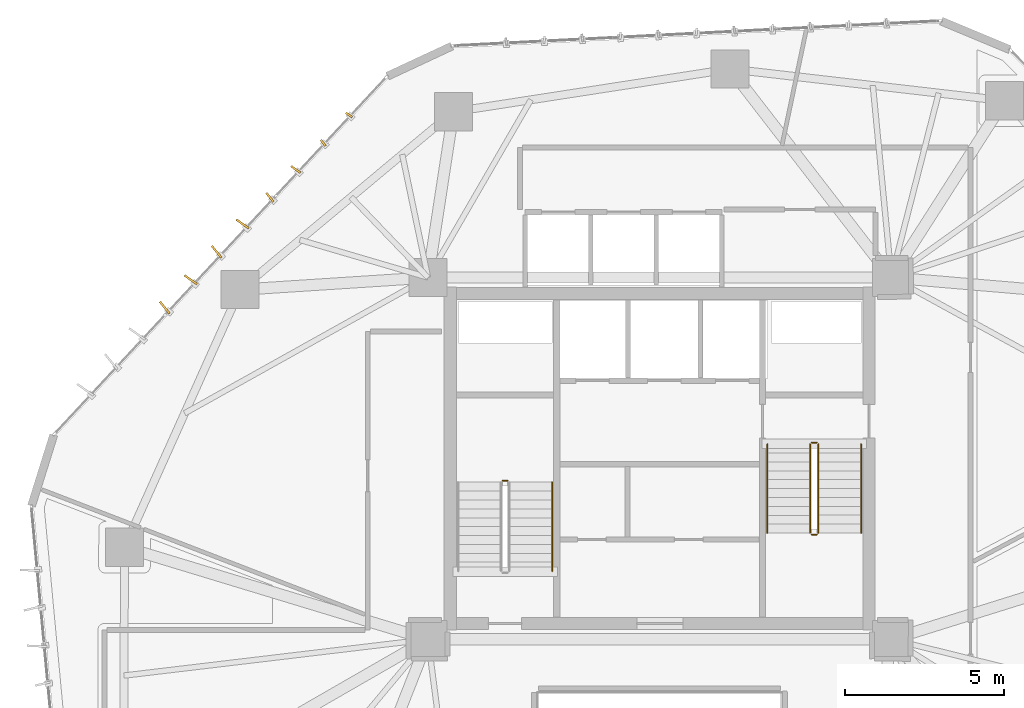
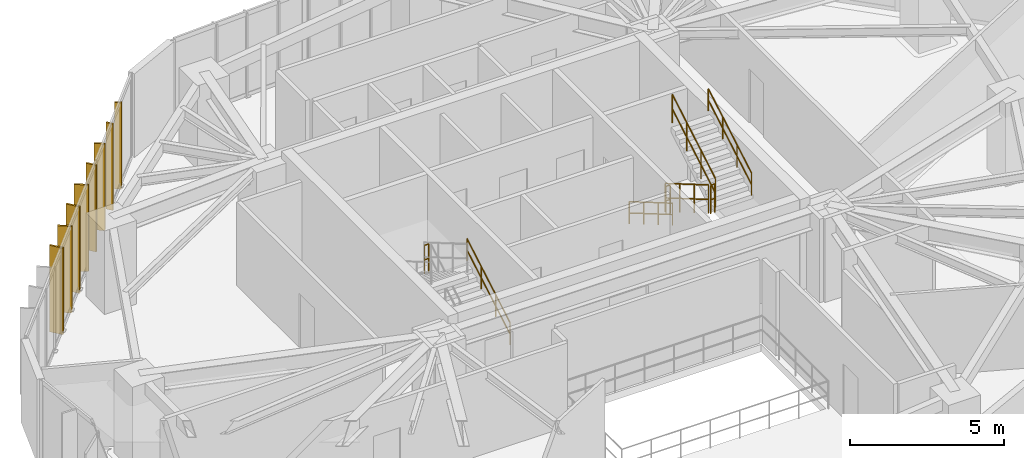
# One storey, part 22 of 23: 8 railings, 8 shading devices.
"""IFC4 building model written with IfcOpenShell, lengths in metres."""

import ifcopenshell
import ifcopenshell.guid

model = None  # the IFC model being written
_history = None  # IfcOwnerHistory: only IFC2X3 demands one
_inside = {}  # id of a spatial element -> (the spatial element, [elements in it])
_under = {}  # id of a project, library or spatial element -> (it, [spatial elements below it])
_declared = {}  # id of a project -> (the project, [libraries it declares])
_typed = {}  # id of a type object -> (the type object, [elements of that type])
_made_of = {}  # id of a material, layer set ... -> (it, [elements and type objects made of it])


def new_model(schema):
    """Start an empty IFC model of exactly this schema.

    Asked for "IFC4X3", IfcOpenShell would pick the latest addendum, in which some entities
    have other attributes; the version numbers below select the first issue.
    IFC2X3 requires an IfcOwnerHistory on every rooted entity: one is made here for all.
    """
    global model, _history
    if schema == "IFC4X3":
        model = ifcopenshell.file(schema_version=(4, 3, 0, 0))
    else:
        model = ifcopenshell.file(schema=schema)
    _inside.clear()
    _under.clear()
    _declared.clear()
    _typed.clear()
    _made_of.clear()
    _history = None
    if model.schema == "IFC2X3":
        org = make("IfcOrganization", Name="unknown")
        user = make(
            "IfcPersonAndOrganization",
            ThePerson=make("IfcPerson", FamilyName="unknown"),
            TheOrganization=org,
        )
        app = make(
            "IfcApplication",
            ApplicationDeveloper=org,
            Version="unknown",
            ApplicationFullName="unknown",
            ApplicationIdentifier="unknown",
        )
        _history = make(
            "IfcOwnerHistory",
            OwningUser=user,
            OwningApplication=app,
            ChangeAction="ADDED",
            CreationDate=0,
        )
    return model


def make(cls, **values):
    """One entity of the class cls with the attributes given. An attribute that is None is left unset."""
    return model.create_entity(
        cls, **{name: value for name, value in values.items() if value is not None}
    )


def rooted(cls, **values):
    """An entity with a GlobalId (a new one), such as an element, a storey or a relation."""
    return make(cls, GlobalId=ifcopenshell.guid.new(), OwnerHistory=_history, **values)


def si_unit(unit_type, name, prefix=None):
    """IfcSIUnit, for example si_unit("LENGTHUNIT", "METRE", prefix="MILLI")."""
    return make("IfcSIUnit", UnitType=unit_type, Prefix=prefix, Name=name)


def assignment(units):
    """IfcUnitAssignment: the units of a project."""
    return None if units is None else make("IfcUnitAssignment", Units=units)


def point(xyz):
    """IfcCartesianPoint."""
    return None if xyz is None else make("IfcCartesianPoint", Coordinates=xyz)


def direction(xyz):
    """IfcDirection."""
    return None if xyz is None else make("IfcDirection", DirectionRatios=xyz)


def frame(location, z_axis=None, x_axis=None):
    """IfcAxis2Placement3D, a coordinate frame: its origin and axes. An axis left out is left unset."""
    return make(
        "IfcAxis2Placement3D",
        Location=point(location),
        Axis=direction(z_axis),
        RefDirection=direction(x_axis),
    )


def frame_2d(location, x_axis=None):
    """IfcAxis2Placement2D, a coordinate frame in the plane: its origin and x axis."""
    return make(
        "IfcAxis2Placement2D", Location=point(location), RefDirection=direction(x_axis)
    )


def origin():
    """The frame at (0, 0, 0) with its axes left unset."""
    return frame((0.0, 0.0, 0.0))


def origin_2d():
    """The frame at (0, 0) in the plane with its x axis left unset."""
    return frame_2d((0.0, 0.0))


def place(relative_to, where):
    """IfcLocalPlacement: puts the frame where relative to a parent placement (None: the world)."""
    return make(
        "IfcLocalPlacement", PlacementRelTo=relative_to, RelativePlacement=where
    )


def context(
    kind, dimensions, precision=None, world=None, true_north=None, identifier=None
):
    """IfcGeometricRepresentationContext, for example the 3D "Model" context."""
    return make(
        "IfcGeometricRepresentationContext",
        ContextIdentifier=identifier,
        ContextType=kind,
        CoordinateSpaceDimension=dimensions,
        Precision=precision,
        WorldCoordinateSystem=world,
        TrueNorth=true_north,
    )


def subcontext(parent, identifier, kind, view, scale=None):
    """IfcGeometricRepresentationSubContext, for example "Body" below "Model"."""
    return make(
        "IfcGeometricRepresentationSubContext",
        ContextIdentifier=identifier,
        ContextType=kind,
        ParentContext=parent,
        TargetScale=scale,
        TargetView=view,
    )


def project(units=None, contexts=None):
    """IfcProject with its units and contexts."""
    return rooted(
        "IfcProject",
        Name="project",
        RepresentationContexts=contexts,
        UnitsInContext=assignment(units),
    )


def spatial(cls, under=None, at=None, **own):
    """A site, building, storey or space (cls), placed at a placement, below another one or the project."""
    s = rooted(cls, ObjectPlacement=at, **own)
    if under is not None:
        _under.setdefault(under.id(), (under, []))[1].append(s)
    return s


def profile(cls, at=None, kind="AREA", **sizes):
    """A parametric profile (cls). Its sizes go by their IFC names, for example OverallWidth=200.0."""
    return make(cls, ProfileType=kind, Position=at, **sizes)


def rectangle(**sizes):
    """IfcRectangleProfileDef."""
    return profile("IfcRectangleProfileDef", **sizes)


def circle(**sizes):
    """IfcCircleProfileDef."""
    return profile("IfcCircleProfileDef", **sizes)


def extrude(swept, where, along, depth):
    """IfcExtrudedAreaSolid: the profile swept, set in the frame where, extruded along a direction by depth."""
    return make(
        "IfcExtrudedAreaSolid",
        SweptArea=swept,
        Position=where,
        ExtrudedDirection=direction(along),
        Depth=depth,
    )


def shape(context_of_items, identifier, shape_type, items):
    """IfcShapeRepresentation: the items that make up one representation, for example the "Body"."""
    return make(
        "IfcShapeRepresentation",
        ContextOfItems=context_of_items,
        RepresentationIdentifier=identifier,
        RepresentationType=shape_type,
        Items=items,
    )


def source(mapping_origin, context_of_items, identifier, shape_type, items):
    """IfcRepresentationMap: a shape defined once, which mapped items show again and again."""
    return make(
        "IfcRepresentationMap",
        MappingOrigin=mapping_origin,
        MappedRepresentation=shape(context_of_items, identifier, shape_type, items),
    )


def transform(
    local_origin,
    x_axis=None,
    y_axis=None,
    z_axis=None,
    scale=None,
    scale2=None,
    scale3=None,
    uniform=True,
):
    """IfcCartesianTransformationOperator3D, or its non-uniform kind. x_axis, y_axis, z_axis: its Axis1, 2, 3."""
    if uniform:
        return make(
            "IfcCartesianTransformationOperator3D",
            Axis1=direction(x_axis),
            Axis2=direction(y_axis),
            LocalOrigin=point(local_origin),
            Scale=scale,
            Axis3=direction(z_axis),
        )
    return make(
        "IfcCartesianTransformationOperator3DnonUniform",
        Axis1=direction(x_axis),
        Axis2=direction(y_axis),
        LocalOrigin=point(local_origin),
        Scale=scale,
        Axis3=direction(z_axis),
        Scale2=scale2,
        Scale3=scale3,
    )


def mapped(mapping_source, mapping_target):
    """IfcMappedItem: shows the shape of a source again, moved by a transform."""
    return make(
        "IfcMappedItem", MappingSource=mapping_source, MappingTarget=mapping_target
    )


def material(Name=None, Category=None):
    """IfcMaterial."""
    return make("IfcMaterial", Name=Name, Category=Category)


def layer(
    of_material, thickness, ventilated=None, Name=None, Category=None, Priority=None
):
    """IfcMaterialLayer: one layer of a wall or slab, of a material (None: an air gap)."""
    return make(
        "IfcMaterialLayer",
        Material=of_material,
        LayerThickness=thickness,
        IsVentilated=ventilated,
        Name=Name,
        Category=Category,
        Priority=Priority,
    )


def layer_set(layers, Name=None):
    """IfcMaterialLayerSet."""
    return make("IfcMaterialLayerSet", MaterialLayers=layers, LayerSetName=Name)


def made_of(thing, what):
    """Note that an element or type object is made of a material, layer set ...; save() writes the relation."""
    if what is not None:
        _made_of.setdefault(what.id(), (what, []))[1].append(thing)
    return thing


def type_object(cls, material=None, **own):
    """A type object (cls), such as IfcWallType, which elements share."""
    return made_of(rooted(cls, **own), material)


def type_shapes(of_type, sources):
    """Give a type object the sources (RepresentationMaps) that its elements show as mapped items."""
    of_type.RepresentationMaps = sources


def element(
    cls,
    number,
    at=None,
    inside=None,
    cuts=None,
    type_object=None,
    material=None,
    context=None,
    identifier="Body",
    shape_type=None,
    held_by="IfcProductDefinitionShape",
    body=None,
    shapes=None,
    **own,
):
    """One element of the class cls, such as IfcWall. Its Tag is "e" and its number.

    at: its placement. inside: the storey or other place that contains it. cuts: it is an
    opening in that element (IfcRelVoidsElement). A single representation is given by context,
    identifier, shape_type and body (its items); several are given by shapes. held_by: the class
    of the entity that holds the representations. save() writes the other relations.
    """
    e = rooted(cls, Tag="e%d" % number, ObjectPlacement=at, **own)
    if body is not None:
        shapes = [shape(context, identifier, shape_type, body)]
    if shapes is not None:
        e.Representation = make(held_by, Representations=shapes)
    if inside is not None:
        _inside.setdefault(inside.id(), (inside, []))[1].append(e)
    if cuts is not None:
        rooted(
            "IfcRelVoidsElement", RelatingBuildingElement=cuts, RelatedOpeningElement=e
        )
    if type_object is not None:
        _typed.setdefault(type_object.id(), (type_object, []))[1].append(e)
    return made_of(e, material)


def aggregate(whole, parts):
    """IfcRelAggregates: a whole, such as a stair, and the parts it consists of."""
    return rooted("IfcRelAggregates", RelatingObject=whole, RelatedObjects=parts)


def save(model, path):
    """Write the relations noted so far, then the file.

    IfcRelAggregates (storeys below a building ...), IfcRelContainedInSpatialStructure (elements
    in a storey), IfcRelDefinesByType, IfcRelAssociatesMaterial and IfcRelDeclares: one each for
    every whole, place, type object, material and project.
    """
    for whole, parts in _under.values():
        aggregate(whole, parts)
    for where, things in _inside.values():
        rooted(
            "IfcRelContainedInSpatialStructure",
            RelatedElements=things,
            RelatingStructure=where,
        )
    for kind, things in _typed.values():
        rooted("IfcRelDefinesByType", RelatedObjects=things, RelatingType=kind)
    for what, things in _made_of.values():
        rooted("IfcRelAssociatesMaterial", RelatedObjects=things, RelatingMaterial=what)
    for by, libraries in _declared.values():
        rooted("IfcRelDeclares", RelatingContext=by, RelatedDefinitions=libraries)
    model.write(path)


model = new_model("IFC4")

# Units and contexts
model_context = context("Model", 3, precision=1e-05, world=origin(), true_north=direction((0.0, 1.0)))
body_context = subcontext(model_context, "Body", "Model", "MODEL_VIEW")
ifc_project = project(units=[si_unit("LENGTHUNIT", "METRE"), si_unit("AREAUNIT", "SQUARE_METRE"), si_unit("VOLUMEUNIT", "CUBIC_METRE"), si_unit("PLANEANGLEUNIT", "RADIAN"), si_unit("MASSUNIT", "GRAM", prefix="KILO")], contexts=[model_context])

# Site, building, storey
site_placement = place(None, origin())
site = spatial("IfcSite", under=ifc_project, at=site_placement, CompositionType="ELEMENT")
building_placement = place(site_placement, origin())
building = spatial("IfcBuilding", under=site, at=building_placement, Name="Talar Marvaseh", CompositionType="ELEMENT")
storey_placement = place(building_placement, frame((0.0, 0.0, 100.199951171875)))
storey = spatial("IfcBuildingStorey", under=building, at=storey_placement, Name="L25", CompositionType="ELEMENT", Elevation=100.199951171875)

# Railings
ifc_material_1 = material(Name="Stainless Steel Grade 316", Category="steel")
railing_type_1 = type_object("IfcRailingType", Name="Brushed Stainless Wall Pitch Handrail 900", PredefinedType="HANDRAIL", material=ifc_material_1)
railing_1_placement = place(storey_placement, frame((22.610107421875, 27.64990234375, 0.16357421875)))
element("IfcRailing", 1, at=railing_1_placement, inside=storey, type_object=railing_type_1, Name="L25 ST-1 stair handrail 1", PredefinedType="HANDRAIL", context=body_context, shape_type="SweptSolid", body=[
    extrude(circle(Radius=0.02392578125, at=origin_2d()), frame((0.0, 0.0, 0.8759765625), z_axis=(0.0, 0.863360870873, 0.504586966384), x_axis=(-1.0, 0.0, 0.0)), (0.0, 0.0, 1.0), 3.2431640625),
    extrude(circle(Radius=0.02392578125, at=origin_2d()), frame((0.0, 0.0, 0.42578125), z_axis=(0.0, 0.863360870873, 0.504586966384), x_axis=(-1.0, 0.0, 0.0)), (0.0, 0.0, 1.0), 3.2431640625),
    extrude(circle(Radius=0.02099609375, at=origin_2d()), origin(), (0.0, 0.0, 1.0), 0.851806640625),
    extrude(circle(Radius=0.02099609375, at=origin_2d()), frame((0.0, 0.933349609375, 0.54541015625)), (0.0, 0.0, 1.0), 0.851806640625),
    extrude(circle(Radius=0.02099609375, at=origin_2d()), frame((0.0, 1.86669921875, 1.091064453125)), (0.0, 0.0, 1.0), 0.851806640625),
    extrude(circle(Radius=0.02099609375, at=origin_2d()), frame((0.0, 2.800048828125, 1.636474609375)), (0.0, 0.0, 1.0), 0.851806640625),
])
railing_2_placement = place(storey_placement, frame((29.389892578125, 31.64990234375, 0.16357421875)))
element("IfcRailing", 2, at=railing_2_placement, inside=storey, type_object=railing_type_1, Name="L25 ST-2 stair handrail 1", PredefinedType="HANDRAIL", context=body_context, shape_type="SweptSolid", body=[
    extrude(circle(Radius=0.02392578125, at=origin_2d()), frame((0.0, 0.0, 0.8759765625), z_axis=(0.0, -0.863341702679, 0.504619762213), x_axis=(1.0, 0.0, 0.0)), (0.0, 0.0, 1.0), 3.242919921875),
    extrude(circle(Radius=0.02392578125, at=origin_2d()), frame((0.0, 0.0, 0.42578125), z_axis=(0.0, -0.863341702679, 0.504619762213), x_axis=(1.0, 0.0, 0.0)), (0.0, 0.0, 1.0), 3.242919921875),
    extrude(circle(Radius=0.02099609375, at=origin_2d()), origin(), (0.0, 0.0, 1.0), 0.851806640625),
    extrude(circle(Radius=0.02099609375, at=origin_2d()), frame((0.0, -0.933349609375, 0.54541015625)), (0.0, 0.0, 1.0), 0.851806640625),
    extrude(circle(Radius=0.02099609375, at=origin_2d()), frame((0.0, -1.866455078125, 1.091064453125)), (0.0, 0.0, 1.0), 0.851806640625),
    extrude(circle(Radius=0.02099609375, at=origin_2d()), frame((0.0, -2.7998046875, 1.636474609375)), (0.0, 0.0, 1.0), 0.851806640625),
])
railing_3_placement = place(storey_placement, frame((32.35009765625, 28.85009765625, 1.963623046875)))
element("IfcRailing", 3, at=railing_3_placement, inside=storey, type_object=railing_type_1, Name="L25 ST-2 stair handrail 2", PredefinedType="HANDRAIL", context=body_context, shape_type="SweptSolid", body=[
    extrude(circle(Radius=0.02392578125, at=origin_2d()), frame((0.0, 0.0, 0.8759765625), z_axis=(0.0, 0.863341702679, 0.504619762213), x_axis=(-1.0, 0.0, 0.0)), (0.0, 0.0, 1.0), 3.242919921875),
    extrude(circle(Radius=0.02392578125, at=origin_2d()), frame((0.0, 0.0, 0.42578125), z_axis=(0.0, 0.863341702679, 0.504619762213), x_axis=(-1.0, 0.0, 0.0)), (0.0, 0.0, 1.0), 3.242919921875),
    extrude(circle(Radius=0.02099609375, at=origin_2d()), origin(), (0.0, 0.0, 1.0), 0.851806640625),
    extrude(circle(Radius=0.02099609375, at=origin_2d()), frame((0.0, 0.933349609375, 0.54541015625)), (0.0, 0.0, 1.0), 0.851806640625),
    extrude(circle(Radius=0.02099609375, at=origin_2d()), frame((0.0, 1.866455078125, 1.091064453125)), (0.0, 0.0, 1.0), 0.851806640625),
    extrude(circle(Radius=0.02099609375, at=origin_2d()), frame((0.0, 2.7998046875, 1.636474609375)), (0.0, 0.0, 1.0), 0.851806640625),
])
railing_type_2 = type_object("IfcRailingType", Name="Painted Steel Core Stair Well Guardrail 1150", PredefinedType="GUARDRAIL", material=ifc_material_1)
railing_4_placement = place(storey_placement, frame((21.2099609375, 30.5, 1.800048828125)))
element("IfcRailing", 4, at=railing_4_placement, inside=storey, type_object=railing_type_2, Name="L25 ST-1 stair guard 2", PredefinedType="GUARDRAIL", context=body_context, shape_type="SweptSolid", body=[
    extrude(circle(Radius=0.02392578125, at=origin_2d()), frame((0.0, 0.0, 1.1259765625), z_axis=(-1.0, 0.0, 0.0), x_axis=(0.0, -1.0, 0.0)), (0.0, 0.0, 1.0), 0.159912109375),
    extrude(circle(Radius=0.02392578125, at=origin_2d()), frame((0.0, 0.0, 0.55078125), z_axis=(-1.0, 0.0, 0.0), x_axis=(0.0, -1.0, 0.0)), (0.0, 0.0, 1.0), 0.159912109375),
    extrude(circle(Radius=0.02099609375, at=origin_2d()), origin(), (0.0, 0.0, 1.0), 1.101806640625),
    extrude(circle(Radius=0.02099609375, at=origin_2d()), frame((-0.159912109375, 0.0, 0.0)), (0.0, 0.0, 1.0), 1.101806640625),
])
railing_5_placement = place(storey_placement, frame((30.739990234375, 31.64990234375, 0.16357421875)))
element("IfcRailing", 5, at=railing_5_placement, inside=storey, type_object=railing_type_2, Name="L25 ST-2 stair guard 1", PredefinedType="GUARDRAIL", context=body_context, shape_type="SweptSolid", body=[
    extrude(circle(Radius=0.02392578125, at=origin_2d()), frame((0.0, 0.0, 1.1259765625), z_axis=(0.0, -0.863341702679, 0.504619762213), x_axis=(1.0, 0.0, 0.0)), (0.0, 0.0, 1.0), 3.242919921875),
    extrude(circle(Radius=0.02392578125, at=origin_2d()), frame((0.0, 0.0, 0.55078125), z_axis=(0.0, -0.863341702679, 0.504619762213), x_axis=(1.0, 0.0, 0.0)), (0.0, 0.0, 1.0), 3.242919921875),
    extrude(circle(Radius=0.02099609375, at=origin_2d()), origin(), (0.0, 0.0, 1.0), 1.101806640625),
    extrude(circle(Radius=0.02099609375, at=origin_2d()), frame((0.0, -0.933349609375, 0.54541015625)), (0.0, 0.0, 1.0), 1.101806640625),
    extrude(circle(Radius=0.02099609375, at=origin_2d()), frame((0.0, -1.866455078125, 1.091064453125)), (0.0, 0.0, 1.0), 1.101806640625),
    extrude(circle(Radius=0.02099609375, at=origin_2d()), frame((0.0, -2.7998046875, 1.636474609375)), (0.0, 0.0, 1.0), 1.101806640625),
])
railing_6_placement = place(storey_placement, frame((30.7900390625, 28.800048828125, 1.800048828125)))
element("IfcRailing", 6, at=railing_6_placement, inside=storey, type_object=railing_type_2, Name="L25 ST-2 stair guard 2", PredefinedType="GUARDRAIL", context=body_context, shape_type="SweptSolid", body=[
    extrude(circle(Radius=0.02392578125, at=origin_2d()), frame((0.0, 0.0, 1.1259765625), z_axis=(1.0, 0.0, 0.0), x_axis=(0.0, 1.0, 0.0)), (0.0, 0.0, 1.0), 0.159912109375),
    extrude(circle(Radius=0.02392578125, at=origin_2d()), frame((0.0, 0.0, 0.55078125), z_axis=(1.0, 0.0, 0.0), x_axis=(0.0, 1.0, 0.0)), (0.0, 0.0, 1.0), 0.159912109375),
    extrude(circle(Radius=0.02099609375, at=origin_2d()), origin(), (0.0, 0.0, 1.0), 1.101806640625),
    extrude(circle(Radius=0.02099609375, at=origin_2d()), frame((0.159912109375, 0.0, 0.0)), (0.0, 0.0, 1.0), 1.101806640625),
])
railing_7_placement = place(storey_placement, frame((31.0, 28.85009765625, 1.963623046875)))
element("IfcRailing", 7, at=railing_7_placement, inside=storey, type_object=railing_type_2, Name="L25 ST-2 stair guard 3", PredefinedType="GUARDRAIL", context=body_context, shape_type="SweptSolid", body=[
    extrude(circle(Radius=0.02392578125, at=origin_2d()), frame((0.0, 0.0, 1.1259765625), z_axis=(0.0, 0.863341702679, 0.504619762213), x_axis=(-1.0, 0.0, 0.0)), (0.0, 0.0, 1.0), 3.242919921875),
    extrude(circle(Radius=0.02392578125, at=origin_2d()), frame((0.0, 0.0, 0.55078125), z_axis=(0.0, 0.863341702679, 0.504619762213), x_axis=(-1.0, 0.0, 0.0)), (0.0, 0.0, 1.0), 3.242919921875),
    extrude(circle(Radius=0.02099609375, at=origin_2d()), origin(), (0.0, 0.0, 1.0), 1.101806640625),
    extrude(circle(Radius=0.02099609375, at=origin_2d()), frame((0.0, 0.933349609375, 0.54541015625)), (0.0, 0.0, 1.0), 1.101806640625),
    extrude(circle(Radius=0.02099609375, at=origin_2d()), frame((0.0, 1.866455078125, 1.091064453125)), (0.0, 0.0, 1.0), 1.101806640625),
    extrude(circle(Radius=0.02099609375, at=origin_2d()), frame((0.0, 2.7998046875, 1.636474609375)), (0.0, 0.0, 1.0), 1.101806640625),
])
railing_8_placement = place(storey_placement, frame((30.7900390625, 31.699951171875, 0.0)))
element("IfcRailing", 8, at=railing_8_placement, inside=storey, type_object=railing_type_2, Name="L25 ST-2 stair guard 4", PredefinedType="GUARDRAIL", context=body_context, shape_type="SweptSolid", body=[
    extrude(circle(Radius=0.02392578125, at=origin_2d()), frame((0.0, 0.0, 1.1259765625), z_axis=(1.0, 0.0, 0.0), x_axis=(0.0, 1.0, 0.0)), (0.0, 0.0, 1.0), 0.159912109375),
    extrude(circle(Radius=0.02392578125, at=origin_2d()), frame((0.0, 0.0, 0.55078125), z_axis=(1.0, 0.0, 0.0), x_axis=(0.0, 1.0, 0.0)), (0.0, 0.0, 1.0), 0.159912109375),
    extrude(circle(Radius=0.02099609375, at=origin_2d()), origin(), (0.0, 0.0, 1.0), 1.101806640625),
    extrude(circle(Radius=0.02099609375, at=origin_2d()), frame((0.159912109375, 0.0, 0.0)), (0.0, 0.0, 1.0), 1.101806640625),
])

# Shading devices
ifc_material_2 = material(Name="Anodised Champagne Bronze Aluminium", Category="aluminium")
ifc_layer_1 = layer(ifc_material_2, 0.06494140625)
ifc_layer_set_1 = layer_set([ifc_layer_1], Name="Anodised Champagne Bronze Aluminium")
shading_device_type_1 = type_object("IfcShadingDeviceType", Name="Sawtooth Champagne Bronze Vertical Fin 240", PredefinedType="USERDEFINED", material=ifc_layer_set_1)
shared_shape_1 = source(origin(), body_context, "Body", "SweptSolid", [
    extrude(rectangle(XDim=0.239990234375, YDim=0.06494140625, at=origin_2d()), origin(), (0.0, 0.0, 1.0), 3.429931640625),
])
type_shapes(shading_device_type_1, [shared_shape_1])
for number, where, z_axis, x_axis, name in (
    (9, (15.3955078125, 41.1435546875, -0.1201171875), (0.0, 0.0, 1.0), (-0.63026938405, 0.776376521753, 0.0), "L25 Sawtooth Vertical Solar Fin"),
    (10, (16.212890625, 42.022216796875, -0.1201171875), (0.0, 0.0, 1.0), (-0.819852188584, 0.572575225515, 0.0), "L25 Sawtooth Vertical Solar Fin"),
):
    element("IfcShadingDevice", number, at=place(storey_placement, frame(where, z_axis=z_axis, x_axis=x_axis)), inside=storey, type_object=shading_device_type_1, Name=name, ObjectType="FIN", PredefinedType="USERDEFINED", context=body_context, shape_type="MappedRepresentation", body=[
        mapped(shared_shape_1, transform((0.0, 0.0, 0.0), x_axis=(1.0, 0.0, 0.0), y_axis=(0.0, 1.0, 0.0), z_axis=(0.0, 0.0, 1.0), scale=1.0)),
    ])
ifc_layer_2 = layer(ifc_material_2, 0.06494140625)
ifc_layer_set_2 = layer_set([ifc_layer_2], Name="Anodised Champagne Bronze Aluminium")
shading_device_type_2 = type_object("IfcShadingDeviceType", Name="Sawtooth Champagne Bronze Vertical Fin 360", PredefinedType="USERDEFINED", material=ifc_layer_set_2)
shared_shape_2 = source(origin(), body_context, "Body", "SweptSolid", [
    extrude(rectangle(XDim=0.360107421875, YDim=0.06494140625, at=origin_2d()), origin(), (0.0, 0.0, 1.0), 3.429931640625),
])
type_shapes(shading_device_type_2, [shared_shape_2])
for number, where, z_axis, x_axis, name in (
    (11, (13.716796875, 39.42724609375, -0.1201171875), (0.0, 0.0, 1.0), (-0.63026938405, 0.776376521753, 0.0), "L25 Sawtooth Vertical Solar Fin"),
    (12, (14.5341796875, 40.305908203125, -0.1201171875), (0.0, 0.0, 1.0), (-0.819852188584, 0.572575225515, 0.0), "L25 Sawtooth Vertical Solar Fin"),
):
    element("IfcShadingDevice", number, at=place(storey_placement, frame(where, z_axis=z_axis, x_axis=x_axis)), inside=storey, type_object=shading_device_type_2, Name=name, ObjectType="FIN", PredefinedType="USERDEFINED", context=body_context, shape_type="MappedRepresentation", body=[
        mapped(shared_shape_2, transform((0.0, 0.0, 0.0), x_axis=(1.0, 0.0, 0.0), y_axis=(0.0, 1.0, 0.0), z_axis=(0.0, 0.0, 1.0), scale=1.0)),
    ])
ifc_layer_3 = layer(ifc_material_2, 0.06494140625)
ifc_layer_set_3 = layer_set([ifc_layer_3], Name="Anodised Champagne Bronze Aluminium")
shading_device_type_3 = type_object("IfcShadingDeviceType", Name="Sawtooth Champagne Bronze Vertical Fin 480", PredefinedType="USERDEFINED", material=ifc_layer_set_3)
shared_shape_3 = source(origin(), body_context, "Body", "SweptSolid", [
    extrude(rectangle(XDim=0.47998046875, YDim=0.06494140625, at=origin_2d()), origin(), (0.0, 0.0, 1.0), 3.429931640625),
])
type_shapes(shading_device_type_3, [shared_shape_3])
for number, where, z_axis, x_axis, name in (
    (13, (10.403564453125, 35.95361328125, -0.1201171875), (0.0, 0.0, 1.0), (-0.63026938405, 0.776376521753, 0.0), "L25 Sawtooth Vertical Solar Fin"),
    (14, (11.220947265625, 36.832275390625, -0.1201171875), (0.0, 0.0, 1.0), (-0.819852188584, 0.572575225515, 0.0), "L25 Sawtooth Vertical Solar Fin"),
    (15, (12.0380859375, 37.7109375, -0.1201171875), (0.0, 0.0, 1.0), (-0.63026938405, 0.776376521753, 0.0), "L25 Sawtooth Vertical Solar Fin"),
    (16, (12.855712890625, 38.58935546875, -0.1201171875), (0.0, 0.0, 1.0), (-0.819852188584, 0.572575225515, 0.0), "L25 Sawtooth Vertical Solar Fin"),
):
    element("IfcShadingDevice", number, at=place(storey_placement, frame(where, z_axis=z_axis, x_axis=x_axis)), inside=storey, type_object=shading_device_type_3, Name=name, ObjectType="FIN", PredefinedType="USERDEFINED", context=body_context, shape_type="MappedRepresentation", body=[
        mapped(shared_shape_3, transform((0.0, 0.0, 0.0), x_axis=(1.0, 0.0, 0.0), y_axis=(0.0, 1.0, 0.0), z_axis=(0.0, 0.0, 1.0), scale=1.0)),
    ])

save(model, "model.ifc")
